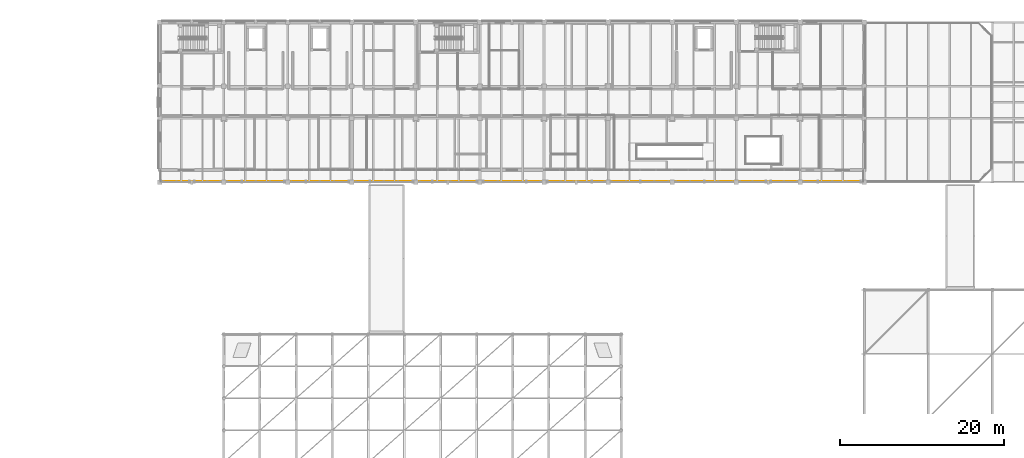
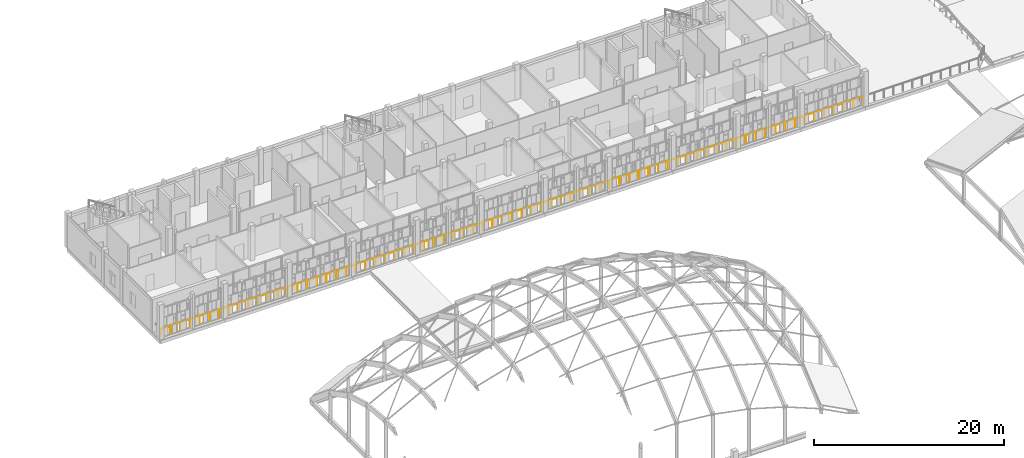
# One storey, part 115 of 119: 1 railing.
"""IFC4 building model written with IfcOpenShell, lengths in metres."""

from ifc_helpers import new_model, si_unit, direction, frame, origin, origin_2d, place, context, subcontext, project, spatial, circle, extrude, material, type_object, element, save


model = new_model("IFC4")

# Units and contexts
model_context = context("Model", 3, precision=1e-05, world=origin(), true_north=direction((0.0, 1.0)))
body_context = subcontext(model_context, "Body", "Model", "MODEL_VIEW")
ifc_project = project(units=[si_unit("LENGTHUNIT", "METRE"), si_unit("AREAUNIT", "SQUARE_METRE"), si_unit("VOLUMEUNIT", "CUBIC_METRE"), si_unit("PLANEANGLEUNIT", "RADIAN"), si_unit("MASSUNIT", "GRAM", prefix="KILO")], contexts=[model_context])

# Site, building, storey
site_placement = place(None, origin())
site = spatial("IfcSite", under=ifc_project, at=site_placement, CompositionType="ELEMENT")
building_placement = place(site_placement, origin())
building = spatial("IfcBuilding", under=site, at=building_placement, Name="Celorna Specialist Clinic", CompositionType="ELEMENT")
storey_placement = place(building_placement, frame((0.0, 0.0, 9.60009765625)))
storey = spatial("IfcBuildingStorey", under=building, at=storey_placement, Name="L02", CompositionType="ELEMENT", Elevation=9.60009765625)

# Railing
ifc_material = material(Name="Stainless steel and laminated glass balustrade", Category="steel")
railing_type = type_object("IfcRailingType", Name="BL-01", PredefinedType="BALUSTRADE", material=ifc_material)
railing_placement = place(storey_placement, frame((132.47998046875, 96.6201171875, 0.0)))
element("IfcRailing", 1, at=railing_placement, inside=storey, type_object=railing_type, Name="Outpatient L02 Cloister Veranda perimeter balustrade 4", PredefinedType="BALUSTRADE", context=body_context, shape_type="SweptSolid", body=[
    extrude(circle(Radius=0.02392578125, at=origin_2d()), frame((0.0, 0.0, 1.09619140625), z_axis=(-1.0, 0.0, 0.0), x_axis=(0.0, -1.0, 0.0)), (0.0, 0.0, 1.0), 85.56005859375),
    extrude(circle(Radius=0.02099609375, at=origin_2d()), origin(), (0.0, 0.0, 1.0), 1.072021484375),
    extrude(circle(Radius=0.02099609375, at=origin_2d()), frame((-1.188232421875, 0.0, 0.0)), (0.0, 0.0, 1.0), 1.072021484375),
    extrude(circle(Radius=0.02099609375, at=origin_2d()), frame((-2.376708984375, 0.0, 0.0)), (0.0, 0.0, 1.0), 1.072021484375),
    extrude(circle(Radius=0.02099609375, at=origin_2d()), frame((-3.56494140625, 0.0, 0.0)), (0.0, 0.0, 1.0), 1.072021484375),
    extrude(circle(Radius=0.02099609375, at=origin_2d()), frame((-4.75341796875, 0.0, 0.0)), (0.0, 0.0, 1.0), 1.072021484375),
    extrude(circle(Radius=0.02099609375, at=origin_2d()), frame((-5.941650390625, 0.0, 0.0)), (0.0, 0.0, 1.0), 1.072021484375),
    extrude(circle(Radius=0.02099609375, at=origin_2d()), frame((-7.1298828125, 0.0, 0.0)), (0.0, 0.0, 1.0), 1.072021484375),
    extrude(circle(Radius=0.02099609375, at=origin_2d()), frame((-8.318359375, 0.0, 0.0)), (0.0, 0.0, 1.0), 1.072021484375),
    extrude(circle(Radius=0.02099609375, at=origin_2d()), frame((-9.506591796875, 0.0, 0.0)), (0.0, 0.0, 1.0), 1.072021484375),
    extrude(circle(Radius=0.02099609375, at=origin_2d()), frame((-10.695068359375, 0.0, 0.0)), (0.0, 0.0, 1.0), 1.072021484375),
    extrude(circle(Radius=0.02099609375, at=origin_2d()), frame((-11.88330078125, 0.0, 0.0)), (0.0, 0.0, 1.0), 1.072021484375),
    extrude(circle(Radius=0.02099609375, at=origin_2d()), frame((-13.07177734375, 0.0, 0.0)), (0.0, 0.0, 1.0), 1.072021484375),
    extrude(circle(Radius=0.02099609375, at=origin_2d()), frame((-14.260009765625, 0.0, 0.0)), (0.0, 0.0, 1.0), 1.072021484375),
    extrude(circle(Radius=0.02099609375, at=origin_2d()), frame((-15.4482421875, 0.0, 0.0)), (0.0, 0.0, 1.0), 1.072021484375),
    extrude(circle(Radius=0.02099609375, at=origin_2d()), frame((-16.63671875, 0.0, 0.0)), (0.0, 0.0, 1.0), 1.072021484375),
    extrude(circle(Radius=0.02099609375, at=origin_2d()), frame((-17.824951171875, 0.0, 0.0)), (0.0, 0.0, 1.0), 1.072021484375),
    extrude(circle(Radius=0.02099609375, at=origin_2d()), frame((-19.013427734375, 0.0, 0.0)), (0.0, 0.0, 1.0), 1.072021484375),
    extrude(circle(Radius=0.02099609375, at=origin_2d()), frame((-20.20166015625, 0.0, 0.0)), (0.0, 0.0, 1.0), 1.072021484375),
    extrude(circle(Radius=0.02099609375, at=origin_2d()), frame((-21.39013671875, 0.0, 0.0)), (0.0, 0.0, 1.0), 1.072021484375),
    extrude(circle(Radius=0.02099609375, at=origin_2d()), frame((-22.578369140625, 0.0, 0.0)), (0.0, 0.0, 1.0), 1.072021484375),
    extrude(circle(Radius=0.02099609375, at=origin_2d()), frame((-23.7666015625, 0.0, 0.0)), (0.0, 0.0, 1.0), 1.072021484375),
    extrude(circle(Radius=0.02099609375, at=origin_2d()), frame((-24.955078125, 0.0, 0.0)), (0.0, 0.0, 1.0), 1.072021484375),
    extrude(circle(Radius=0.02099609375, at=origin_2d()), frame((-26.143310546875, 0.0, 0.0)), (0.0, 0.0, 1.0), 1.072021484375),
    extrude(circle(Radius=0.02099609375, at=origin_2d()), frame((-27.331787109375, 0.0, 0.0)), (0.0, 0.0, 1.0), 1.072021484375),
    extrude(circle(Radius=0.02099609375, at=origin_2d()), frame((-28.52001953125, 0.0, 0.0)), (0.0, 0.0, 1.0), 1.072021484375),
    extrude(circle(Radius=0.02099609375, at=origin_2d()), frame((-29.708251953125, 0.0, 0.0)), (0.0, 0.0, 1.0), 1.072021484375),
    extrude(circle(Radius=0.02099609375, at=origin_2d()), frame((-30.896728515625, 0.0, 0.0)), (0.0, 0.0, 1.0), 1.072021484375),
    extrude(circle(Radius=0.02099609375, at=origin_2d()), frame((-32.0849609375, 0.0, 0.0)), (0.0, 0.0, 1.0), 1.072021484375),
    extrude(circle(Radius=0.02099609375, at=origin_2d()), frame((-33.2734375, 0.0, 0.0)), (0.0, 0.0, 1.0), 1.072021484375),
    extrude(circle(Radius=0.02099609375, at=origin_2d()), frame((-34.461669921875, 0.0, 0.0)), (0.0, 0.0, 1.0), 1.072021484375),
    extrude(circle(Radius=0.02099609375, at=origin_2d()), frame((-35.64990234375, 0.0, 0.0)), (0.0, 0.0, 1.0), 1.072021484375),
    extrude(circle(Radius=0.02099609375, at=origin_2d()), frame((-36.83837890625, 0.0, 0.0)), (0.0, 0.0, 1.0), 1.072021484375),
    extrude(circle(Radius=0.02099609375, at=origin_2d()), frame((-38.026611328125, 0.0, 0.0)), (0.0, 0.0, 1.0), 1.072021484375),
    extrude(circle(Radius=0.02099609375, at=origin_2d()), frame((-39.215087890625, 0.0, 0.0)), (0.0, 0.0, 1.0), 1.072021484375),
    extrude(circle(Radius=0.02099609375, at=origin_2d()), frame((-40.4033203125, 0.0, 0.0)), (0.0, 0.0, 1.0), 1.072021484375),
    extrude(circle(Radius=0.02099609375, at=origin_2d()), frame((-41.591796875, 0.0, 0.0)), (0.0, 0.0, 1.0), 1.072021484375),
    extrude(circle(Radius=0.02099609375, at=origin_2d()), frame((-42.780029296875, 0.0, 0.0)), (0.0, 0.0, 1.0), 1.072021484375),
    extrude(circle(Radius=0.02099609375, at=origin_2d()), frame((-43.96826171875, 0.0, 0.0)), (0.0, 0.0, 1.0), 1.072021484375),
    extrude(circle(Radius=0.02099609375, at=origin_2d()), frame((-45.15673828125, 0.0, 0.0)), (0.0, 0.0, 1.0), 1.072021484375),
    extrude(circle(Radius=0.02099609375, at=origin_2d()), frame((-46.344970703125, 0.0, 0.0)), (0.0, 0.0, 1.0), 1.072021484375),
    extrude(circle(Radius=0.02099609375, at=origin_2d()), frame((-47.533447265625, 0.0, 0.0)), (0.0, 0.0, 1.0), 1.072021484375),
    extrude(circle(Radius=0.02099609375, at=origin_2d()), frame((-48.7216796875, 0.0, 0.0)), (0.0, 0.0, 1.0), 1.072021484375),
    extrude(circle(Radius=0.02099609375, at=origin_2d()), frame((-49.91015625, 0.0, 0.0)), (0.0, 0.0, 1.0), 1.072021484375),
    extrude(circle(Radius=0.02099609375, at=origin_2d()), frame((-51.098388671875, 0.0, 0.0)), (0.0, 0.0, 1.0), 1.072021484375),
    extrude(circle(Radius=0.02099609375, at=origin_2d()), frame((-52.28662109375, 0.0, 0.0)), (0.0, 0.0, 1.0), 1.072021484375),
    extrude(circle(Radius=0.02099609375, at=origin_2d()), frame((-53.47509765625, 0.0, 0.0)), (0.0, 0.0, 1.0), 1.072021484375),
    extrude(circle(Radius=0.02099609375, at=origin_2d()), frame((-54.663330078125, 0.0, 0.0)), (0.0, 0.0, 1.0), 1.072021484375),
    extrude(circle(Radius=0.02099609375, at=origin_2d()), frame((-55.851806640625, 0.0, 0.0)), (0.0, 0.0, 1.0), 1.072021484375),
    extrude(circle(Radius=0.02099609375, at=origin_2d()), frame((-57.0400390625, 0.0, 0.0)), (0.0, 0.0, 1.0), 1.072021484375),
    extrude(circle(Radius=0.02099609375, at=origin_2d()), frame((-58.228271484375, 0.0, 0.0)), (0.0, 0.0, 1.0), 1.072021484375),
    extrude(circle(Radius=0.02099609375, at=origin_2d()), frame((-59.416748046875, 0.0, 0.0)), (0.0, 0.0, 1.0), 1.072021484375),
    extrude(circle(Radius=0.02099609375, at=origin_2d()), frame((-60.60498046875, 0.0, 0.0)), (0.0, 0.0, 1.0), 1.072021484375),
    extrude(circle(Radius=0.02099609375, at=origin_2d()), frame((-61.79345703125, 0.0, 0.0)), (0.0, 0.0, 1.0), 1.072021484375),
    extrude(circle(Radius=0.02099609375, at=origin_2d()), frame((-62.981689453125, 0.0, 0.0)), (0.0, 0.0, 1.0), 1.072021484375),
    extrude(circle(Radius=0.02099609375, at=origin_2d()), frame((-64.169921875, 0.0, 0.0)), (0.0, 0.0, 1.0), 1.072021484375),
    extrude(circle(Radius=0.02099609375, at=origin_2d()), frame((-65.3583984375, 0.0, 0.0)), (0.0, 0.0, 1.0), 1.072021484375),
    extrude(circle(Radius=0.02099609375, at=origin_2d()), frame((-66.546630859375, 0.0, 0.0)), (0.0, 0.0, 1.0), 1.072021484375),
    extrude(circle(Radius=0.02099609375, at=origin_2d()), frame((-67.735107421875, 0.0, 0.0)), (0.0, 0.0, 1.0), 1.072021484375),
    extrude(circle(Radius=0.02099609375, at=origin_2d()), frame((-68.92333984375, 0.0, 0.0)), (0.0, 0.0, 1.0), 1.072021484375),
    extrude(circle(Radius=0.02099609375, at=origin_2d()), frame((-70.11181640625, 0.0, 0.0)), (0.0, 0.0, 1.0), 1.072021484375),
    extrude(circle(Radius=0.02099609375, at=origin_2d()), frame((-71.300048828125, 0.0, 0.0)), (0.0, 0.0, 1.0), 1.072021484375),
    extrude(circle(Radius=0.02099609375, at=origin_2d()), frame((-72.48828125, 0.0, 0.0)), (0.0, 0.0, 1.0), 1.072021484375),
    extrude(circle(Radius=0.02099609375, at=origin_2d()), frame((-73.6767578125, 0.0, 0.0)), (0.0, 0.0, 1.0), 1.072021484375),
    extrude(circle(Radius=0.02099609375, at=origin_2d()), frame((-74.864990234375, 0.0, 0.0)), (0.0, 0.0, 1.0), 1.072021484375),
    extrude(circle(Radius=0.02099609375, at=origin_2d()), frame((-76.053466796875, 0.0, 0.0)), (0.0, 0.0, 1.0), 1.072021484375),
    extrude(circle(Radius=0.02099609375, at=origin_2d()), frame((-77.24169921875, 0.0, 0.0)), (0.0, 0.0, 1.0), 1.072021484375),
    extrude(circle(Radius=0.02099609375, at=origin_2d()), frame((-78.43017578125, 0.0, 0.0)), (0.0, 0.0, 1.0), 1.072021484375),
    extrude(circle(Radius=0.02099609375, at=origin_2d()), frame((-79.618408203125, 0.0, 0.0)), (0.0, 0.0, 1.0), 1.072021484375),
    extrude(circle(Radius=0.02099609375, at=origin_2d()), frame((-80.806640625, 0.0, 0.0)), (0.0, 0.0, 1.0), 1.072021484375),
    extrude(circle(Radius=0.02099609375, at=origin_2d()), frame((-81.9951171875, 0.0, 0.0)), (0.0, 0.0, 1.0), 1.072021484375),
    extrude(circle(Radius=0.02099609375, at=origin_2d()), frame((-83.183349609375, 0.0, 0.0)), (0.0, 0.0, 1.0), 1.072021484375),
    extrude(circle(Radius=0.02099609375, at=origin_2d()), frame((-84.371826171875, 0.0, 0.0)), (0.0, 0.0, 1.0), 1.072021484375),
    extrude(circle(Radius=0.02099609375, at=origin_2d()), frame((-85.56005859375, 0.0, 0.0)), (0.0, 0.0, 1.0), 1.072021484375),
])

save(model, "model.ifc")
